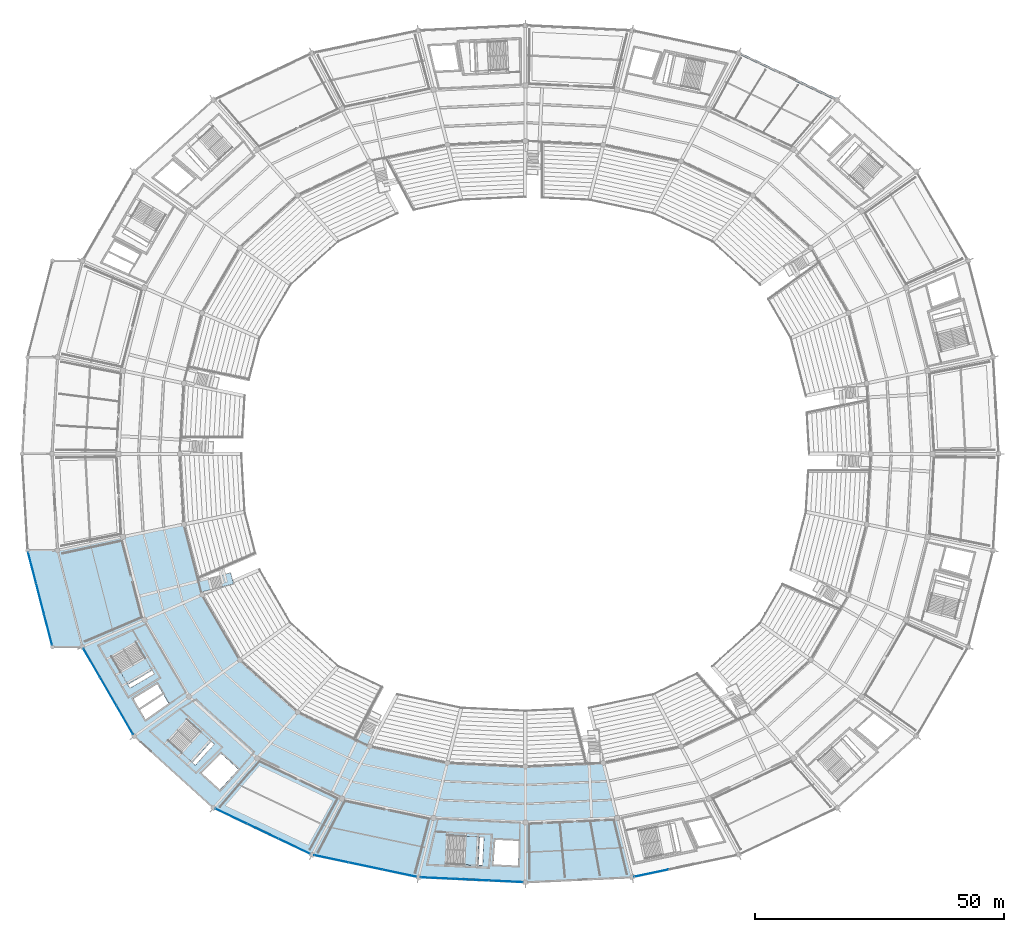
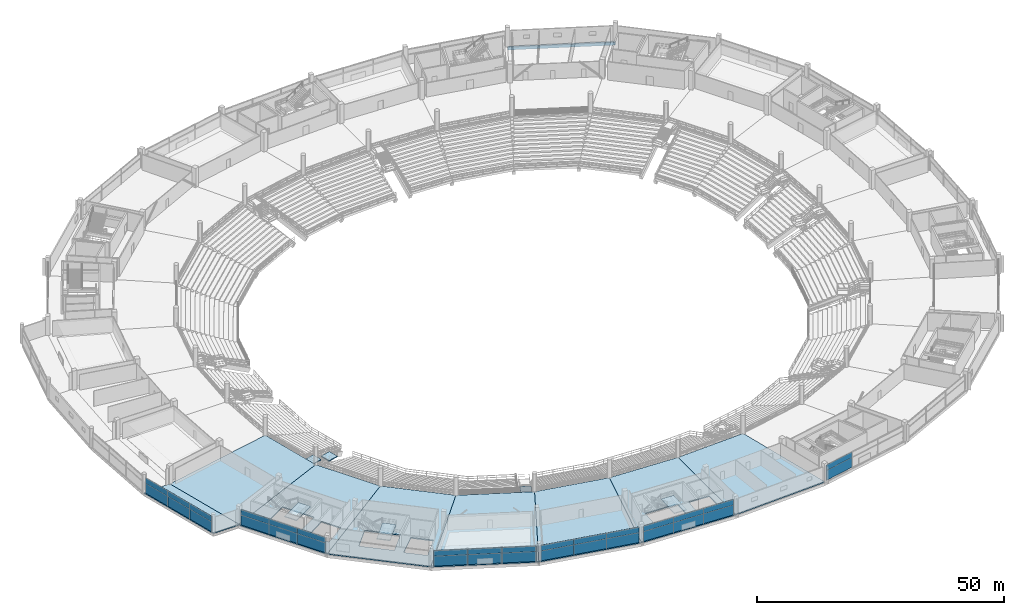
# One storey, part 96 of 156: 32 plates, 14 slabs, 1 beam, 10 elements without a shape of their own.
"""IFC4 building model written with IfcOpenShell, lengths in metres."""

from ifc_helpers import new_model, si_unit, direction, frame, origin, origin_2d, place, context, subcontext, project, spatial, polyline, rectangle, outline, extrude, material, layer, layer_set, material_profile, profile_set, type_object, element, aggregate, save


model = new_model("IFC4")

# Units and contexts
model_context = context("Model", 3, precision=1e-05, world=origin(), true_north=direction((0.0, 1.0)))
body_context = subcontext(model_context, "Body", "Model", "MODEL_VIEW")
ifc_project = project(units=[si_unit("LENGTHUNIT", "METRE"), si_unit("AREAUNIT", "SQUARE_METRE"), si_unit("VOLUMEUNIT", "CUBIC_METRE"), si_unit("PLANEANGLEUNIT", "RADIAN"), si_unit("MASSUNIT", "GRAM", prefix="KILO")], contexts=[model_context])

# Site, building, storey
site_placement = place(None, origin())
site = spatial("IfcSite", under=ifc_project, at=site_placement, CompositionType="ELEMENT")
building_placement = place(site_placement, origin())
building = spatial("IfcBuilding", under=site, at=building_placement, Name="Kazemori Nagisa Stadium", CompositionType="ELEMENT")
storey_placement = place(building_placement, frame((0.0, 0.0, 5.780029296875)))
storey = spatial("IfcBuildingStorey", under=building, at=storey_placement, Name="L01", CompositionType="ELEMENT", Elevation=5.780029296875)

# Beam
ifc_material_1 = material(Name="Concrete C40/50 (Fc42)", Category="concrete")
ifc_material_profile = material_profile(ifc_material_1, rectangle(XDim=0.35009765625, YDim=0.699951171875, at=origin_2d()), Name="RC-SP-350x700")
ifc_profile_set = profile_set([ifc_material_profile], Name="Concrete C40/50 (Fc42)")
beam_type = type_object("IfcBeamType", Name="Beam_BS-RC350X700", PredefinedType="SPANDREL", material=ifc_profile_set)
beam_placement = place(storey_placement, frame((185.597900390625, 173.05908203125, -0.630126953125), z_axis=(-0.903215644095, 0.429187022475, 0.0), x_axis=(-0.429187022475, -0.903215644095, 0.0)))
element("IfcBeam", 1, at=beam_placement, inside=storey, type_object=beam_type, Name="Ring girder BS-RC350X700 L01 R3-05", PredefinedType="SPANDREL", context=body_context, shape_type="SweptSolid", body=[
    extrude(rectangle(XDim=0.35009765625, YDim=0.699951171875, at=origin_2d()), origin(), (0.0, 0.0, 1.0), 21.9140625),
])

# Curtain wall, plates
ifc_material_2 = material(Name="Anodised aluminium 6063-T5", Category="aluminium")
ifc_layer_1 = layer(ifc_material_2, 0.179931640625, Name="Anodised aluminium 6063-T5", Category="aluminium")
ifc_layer_set_1 = layer_set([ifc_layer_1], Name="Anodised aluminium 6063-T5")
curtain_wall_type_1 = type_object("IfcCurtainWallType", Name="CW_L01R3_103", PredefinedType="USERDEFINED", material=ifc_layer_set_1)
curtain_wall_1_placement = place(storey_placement, origin())
curtain_wall_1 = element("IfcCurtainWall", 2, at=curtain_wall_1_placement, inside=storey, type_object=curtain_wall_type_1, Name="Unitised curtain wall CW-L01R3-103 L01", ObjectType="UNITISED CURTAIN WALL", PredefinedType="USERDEFINED")
ifc_material_3 = material(Name="Anodised aluminium spandrel sheet", Category="aluminium")
ifc_layer_2 = layer(ifc_material_3, 0.0458984375, Name="Anodised aluminium spandrel sheet", Category="aluminium")
ifc_layer_set_2 = layer_set([ifc_layer_2], Name="Anodised aluminium spandrel sheet")
plate_type_1 = type_object("IfcPlateType", Name="CWPanel_SPN_L01R3_103", PredefinedType="CURTAIN_PANEL", material=ifc_layer_set_2)
plate_1_placement = place(storey_placement, frame((105.4599609375, 16.829345703125, 2.4638671875), z_axis=(0.0, 0.0, 1.0), x_axis=(0.998884022476, -0.047230388971, 0.0)))
plate_1 = element("IfcPlate", 3, at=plate_1_placement, type_object=plate_type_1, Name="Curtain wall spandrel panel CW-L01R3-103-S1", PredefinedType="CURTAIN_PANEL", context=body_context, shape_type="SweptSolid", body=[
    extrude(rectangle(XDim=6.81005859375, YDim=0.0458984375, at=origin_2d()), origin(), (0.0, 0.0, 1.0), 1.385986328125),
])
plate_2_placement = place(storey_placement, frame((112.2861328125, 16.506591796875, 2.4638671875), z_axis=(0.0, 0.0, 1.0), x_axis=(0.998884022476, -0.047230388971, 0.0)))
plate_2 = element("IfcPlate", 4, at=plate_2_placement, type_object=plate_type_1, Name="Curtain wall spandrel panel CW-L01R3-103-S2", PredefinedType="CURTAIN_PANEL", context=body_context, shape_type="SweptSolid", body=[
    extrude(rectangle(XDim=6.81005859375, YDim=0.0458984375, at=origin_2d()), origin(), (0.0, 0.0, 1.0), 1.385986328125),
])
plate_3_placement = place(storey_placement, frame((119.1123046875, 16.183837890625, 2.4638671875), z_axis=(0.0, 0.0, 1.0), x_axis=(0.998884022476, -0.047230388971, 0.0)))
plate_3 = element("IfcPlate", 5, at=plate_3_placement, type_object=plate_type_1, Name="Curtain wall spandrel panel CW-L01R3-103-S3", PredefinedType="CURTAIN_PANEL", context=body_context, shape_type="SweptSolid", body=[
    extrude(rectangle(XDim=6.81005859375, YDim=0.0458984375, at=origin_2d()), origin(), (0.0, 0.0, 1.0), 1.385986328125),
])

ifc_layer_3 = layer(ifc_material_2, 0.179931640625, Name="Anodised aluminium 6063-T5", Category="aluminium")
ifc_layer_set_3 = layer_set([ifc_layer_3], Name="Anodised aluminium 6063-T5")
curtain_wall_type_2 = type_object("IfcCurtainWallType", Name="CW_L01R3_105", PredefinedType="USERDEFINED", material=ifc_layer_set_3)
curtain_wall_2_placement = place(storey_placement, origin())
curtain_wall_2 = element("IfcCurtainWall", 6, at=curtain_wall_2_placement, inside=storey, type_object=curtain_wall_type_2, Name="Unitised curtain wall CW-L01R3-105 L01", ObjectType="UNITISED CURTAIN WALL", PredefinedType="USERDEFINED")
ifc_layer_4 = layer(ifc_material_3, 0.0458984375, Name="Anodised aluminium spandrel sheet", Category="aluminium")
ifc_layer_set_4 = layer_set([ifc_layer_4], Name="Anodised aluminium spandrel sheet")
plate_type_2 = type_object("IfcPlateType", Name="CWPanel_SPN_L01R3_105", PredefinedType="CURTAIN_PANEL", material=ifc_layer_set_4)
plate_4_placement = place(storey_placement, frame((63.98681640625, 29.237548828125, 2.4638671875), z_axis=(0.0, 0.0, 1.0), x_axis=(0.903215892654, -0.429186499388, 0.0)))
plate_4 = element("IfcPlate", 7, at=plate_4_placement, type_object=plate_type_2, Name="Curtain wall spandrel panel CW-L01R3-105-S1", PredefinedType="CURTAIN_PANEL", context=body_context, shape_type="SweptSolid", body=[
    extrude(rectangle(XDim=6.964111328125, YDim=0.0458984375, at=origin_2d()), origin(), (0.0, 0.0, 1.0), 1.385986328125),
])
plate_5_placement = place(storey_placement, frame((70.298583984375, 26.23828125, 2.4638671875), z_axis=(0.0, 0.0, 1.0), x_axis=(0.903215892654, -0.429186499388, 0.0)))
plate_5 = element("IfcPlate", 8, at=plate_5_placement, type_object=plate_type_2, Name="Curtain wall spandrel panel CW-L01R3-105-S2", PredefinedType="CURTAIN_PANEL", context=body_context, shape_type="SweptSolid", body=[
    extrude(rectangle(XDim=6.964111328125, YDim=0.0458984375, at=origin_2d()), origin(), (0.0, 0.0, 1.0), 1.385986328125),
])
plate_6_placement = place(storey_placement, frame((76.6103515625, 23.2392578125, 2.4638671875), z_axis=(0.0, 0.0, 1.0), x_axis=(0.903215892654, -0.429186499388, 0.0)))
plate_6 = element("IfcPlate", 9, at=plate_6_placement, type_object=plate_type_2, Name="Curtain wall spandrel panel CW-L01R3-105-S3", PredefinedType="CURTAIN_PANEL", context=body_context, shape_type="SweptSolid", body=[
    extrude(rectangle(XDim=6.964111328125, YDim=0.0458984375, at=origin_2d()), origin(), (0.0, 0.0, 1.0), 1.385986328125),
])

curtain_wall_3_placement = place(storey_placement, origin())
curtain_wall_3 = element("IfcCurtainWall", 10, at=curtain_wall_3_placement, inside=storey, type_object=curtain_wall_type_2, Name="Unitised curtain wall CW-L01R3-105 L01", ObjectType="UNITISED CURTAIN WALL", PredefinedType="USERDEFINED")
plate_7_placement = place(storey_placement, frame((84.06787109375, 20.716552734375, 2.4638671875), z_axis=(0.0, 0.0, 1.0), x_axis=(0.978344955407, -0.206981033502, 0.0)))
plate_7 = element("IfcPlate", 11, at=plate_7_placement, type_object=plate_type_2, Name="Curtain wall spandrel panel CW-L01R3-105-S1", PredefinedType="CURTAIN_PANEL", context=body_context, shape_type="SweptSolid", body=[
    extrude(rectangle(XDim=6.942626953125, YDim=0.0458984375, at=origin_2d()), origin(), (0.0, 0.0, 1.0), 1.385986328125),
])
plate_8_placement = place(storey_placement, frame((90.8837890625, 19.2744140625, 2.4638671875), z_axis=(0.0, 0.0, 1.0), x_axis=(0.978344955407, -0.206981033502, 0.0)))
plate_8 = element("IfcPlate", 12, at=plate_8_placement, type_object=plate_type_2, Name="Curtain wall spandrel panel CW-L01R3-105-S2", PredefinedType="CURTAIN_PANEL", context=body_context, shape_type="SweptSolid", body=[
    extrude(rectangle(XDim=6.942626953125, YDim=0.0458984375, at=origin_2d()), origin(), (0.0, 0.0, 1.0), 1.385986328125),
])
plate_9_placement = place(storey_placement, frame((97.69970703125, 17.83251953125, 2.4638671875), z_axis=(0.0, 0.0, 1.0), x_axis=(0.978344955407, -0.206981033502, 0.0)))
plate_9 = element("IfcPlate", 13, at=plate_9_placement, type_object=plate_type_2, Name="Curtain wall spandrel panel CW-L01R3-105-S3", PredefinedType="CURTAIN_PANEL", context=body_context, shape_type="SweptSolid", body=[
    extrude(rectangle(XDim=6.942626953125, YDim=0.0458984375, at=origin_2d()), origin(), (0.0, 0.0, 1.0), 1.385986328125),
])

# Curtain wall, plate
curtain_wall_4_placement = place(storey_placement, origin())
curtain_wall_4 = element("IfcCurtainWall", 14, at=curtain_wall_4_placement, inside=storey, type_object=curtain_wall_type_2, Name="Unitised curtain wall CW-L01R3-105 L01", ObjectType="UNITISED CURTAIN WALL", PredefinedType="USERDEFINED")
plate_10_placement = place(storey_placement, frame((148.30029296875, 17.83251953125, 2.4638671875), z_axis=(0.0, 0.0, 1.0), x_axis=(0.978344955407, 0.206981033502, 0.0)))
plate_10 = element("IfcPlate", 15, at=plate_10_placement, type_object=plate_type_2, Name="Curtain wall spandrel panel CW-L01R3-105-S1", PredefinedType="CURTAIN_PANEL", context=body_context, shape_type="SweptSolid", body=[
    extrude(rectangle(XDim=6.942626953125, YDim=0.0458984375, at=origin_2d()), origin(), (0.0, 0.0, 1.0), 1.385986328125),
])

# Curtain wall, plates
ifc_layer_5 = layer(ifc_material_2, 0.179931640625, Name="Anodised aluminium 6063-T5", Category="aluminium")
ifc_layer_set_5 = layer_set([ifc_layer_5], Name="Anodised aluminium 6063-T5")
curtain_wall_type_3 = type_object("IfcCurtainWallType", Name="CW_L01R3_96", PredefinedType="USERDEFINED", material=ifc_layer_set_5)
curtain_wall_5_placement = place(storey_placement, origin())
curtain_wall_5 = element("IfcCurtainWall", 16, at=curtain_wall_5_placement, inside=storey, type_object=curtain_wall_type_3, Name="Unitised curtain wall CW-L01R3-96 L01", ObjectType="UNITISED CURTAIN WALL", PredefinedType="USERDEFINED")
ifc_layer_6 = layer(ifc_material_3, 0.0458984375, Name="Anodised aluminium spandrel sheet", Category="aluminium")
ifc_layer_set_6 = layer_set([ifc_layer_6], Name="Anodised aluminium spandrel sheet")
plate_type_3 = type_object("IfcPlateType", Name="CWPanel_SPN_L01R3_96", PredefinedType="CURTAIN_PANEL", material=ifc_layer_set_6)
plate_11_placement = place(storey_placement, frame((24.02587890625, 79.08984375, 2.4638671875), z_axis=(0.0, 0.0, 1.0), x_axis=(0.249964642418, -0.968254965152, 0.0)))
plate_11 = element("IfcPlate", 17, at=plate_11_placement, type_object=plate_type_3, Name="Curtain wall spandrel panel CW-L01R3-96-S1", PredefinedType="CURTAIN_PANEL", context=body_context, shape_type="SweptSolid", body=[
    extrude(rectangle(XDim=6.34130859375, YDim=0.0458984375, at=origin_2d()), origin(), (0.0, 0.0, 1.0), 1.385986328125),
])
plate_12_placement = place(storey_placement, frame((25.6171875, 72.92626953125, 2.4638671875), z_axis=(0.0, 0.0, 1.0), x_axis=(0.249964642418, -0.968254965152, 0.0)))
plate_12 = element("IfcPlate", 18, at=plate_12_placement, type_object=plate_type_3, Name="Curtain wall spandrel panel CW-L01R3-96-S2", PredefinedType="CURTAIN_PANEL", context=body_context, shape_type="SweptSolid", body=[
    extrude(rectangle(XDim=6.34130859375, YDim=0.0458984375, at=origin_2d()), origin(), (0.0, 0.0, 1.0), 1.385986328125),
])
plate_13_placement = place(storey_placement, frame((27.208251953125, 66.762939453125, 2.4638671875), z_axis=(0.0, 0.0, 1.0), x_axis=(0.249964642418, -0.968254965152, 0.0)))
plate_13 = element("IfcPlate", 19, at=plate_13_placement, type_object=plate_type_3, Name="Curtain wall spandrel panel CW-L01R3-96-S3", PredefinedType="CURTAIN_PANEL", context=body_context, shape_type="SweptSolid", body=[
    extrude(rectangle(XDim=6.34130859375, YDim=0.0458984375, at=origin_2d()), origin(), (0.0, 0.0, 1.0), 1.385986328125),
])

ifc_layer_7 = layer(ifc_material_2, 0.179931640625, Name="Anodised aluminium 6063-T5", Category="aluminium")
ifc_layer_set_7 = layer_set([ifc_layer_7], Name="Anodised aluminium 6063-T5")
curtain_wall_type_4 = type_object("IfcCurtainWallType", Name="CW_L01R3_99", PredefinedType="USERDEFINED", material=ifc_layer_set_7)
curtain_wall_6_placement = place(storey_placement, origin())
curtain_wall_6 = element("IfcCurtainWall", 20, at=curtain_wall_6_placement, inside=storey, type_object=curtain_wall_type_4, Name="Unitised curtain wall CW-L01R3-99 L01", ObjectType="UNITISED CURTAIN WALL", PredefinedType="USERDEFINED")
ifc_layer_8 = layer(ifc_material_3, 0.0458984375, Name="Anodised aluminium spandrel sheet", Category="aluminium")
ifc_layer_set_8 = layer_set([ifc_layer_8], Name="Anodised aluminium spandrel sheet")
plate_type_4 = type_object("IfcPlateType", Name="CWPanel_SPN_L01R3_99", PredefinedType="CURTAIN_PANEL", material=ifc_layer_set_8)
plate_14_placement = place(storey_placement, frame((36.005615234375, 59.990234375, 2.4638671875), z_axis=(0.0, 0.0, 1.0), x_axis=(0.501611590054, -0.865092950337, 0.0)))
plate_14 = element("IfcPlate", 21, at=plate_14_placement, type_object=plate_type_4, Name="Curtain wall spandrel panel CW-L01R3-99-S1", PredefinedType="CURTAIN_PANEL", context=body_context, shape_type="SweptSolid", body=[
    extrude(rectangle(XDim=6.563232421875, YDim=0.0458984375, at=origin_2d()), origin(), (0.0, 0.0, 1.0), 1.385986328125),
])
plate_15_placement = place(storey_placement, frame((39.309814453125, 54.29150390625, 2.4638671875), z_axis=(0.0, 0.0, 1.0), x_axis=(0.501611590054, -0.865092950337, 0.0)))
plate_15 = element("IfcPlate", 22, at=plate_15_placement, type_object=plate_type_4, Name="Curtain wall spandrel panel CW-L01R3-99-S2", PredefinedType="CURTAIN_PANEL", context=body_context, shape_type="SweptSolid", body=[
    extrude(rectangle(XDim=6.563232421875, YDim=0.0458984375, at=origin_2d()), origin(), (0.0, 0.0, 1.0), 1.385986328125),
])
plate_16_placement = place(storey_placement, frame((42.6142578125, 48.5927734375, 2.4638671875), z_axis=(0.0, 0.0, 1.0), x_axis=(0.501611590054, -0.865092950337, 0.0)))
plate_16 = element("IfcPlate", 23, at=plate_16_placement, type_object=plate_type_4, Name="Curtain wall spandrel panel CW-L01R3-99-S3", PredefinedType="CURTAIN_PANEL", context=body_context, shape_type="SweptSolid", body=[
    extrude(rectangle(XDim=6.563232421875, YDim=0.0458984375, at=origin_2d()), origin(), (0.0, 0.0, 1.0), 1.385986328125),
])

# Plate
ifc_material_4 = material(Name="Low-e laminated double glazing", Category="glass")
ifc_layer_9 = layer(ifc_material_4, 0.028076171875, Name="Low-e laminated double glazing", Category="glass")
ifc_layer_set_9 = layer_set([ifc_layer_9], Name="Low-e laminated double glazing")
plate_type_5 = type_object("IfcPlateType", Name="CWPanel_VIS_L01R3_103", PredefinedType="CURTAIN_PANEL", material=ifc_layer_set_9)
plate_17_placement = place(storey_placement, frame((105.4599609375, 16.829345703125, 0.0), z_axis=(0.0, 0.0, 1.0), x_axis=(0.998884022476, -0.047230388971, 0.0)))
plate_17 = element("IfcPlate", 24, at=plate_17_placement, type_object=plate_type_5, Name="Curtain wall vision panel CW-L01R3-103-V1", PredefinedType="CURTAIN_PANEL", context=body_context, shape_type="SweptSolid", body=[
    extrude(rectangle(XDim=6.81005859375, YDim=0.028076171875, at=origin_2d()), origin(), (0.0, 0.0, 1.0), 2.464111328125),
])

plate_18_placement = place(storey_placement, frame((112.2861328125, 16.506591796875, 0.0), z_axis=(0.0, 0.0, 1.0), x_axis=(0.998884022476, -0.047230388971, 0.0)))
plate_18 = element("IfcPlate", 25, at=plate_18_placement, type_object=plate_type_5, Name="Curtain wall vision panel CW-L01R3-103-V2", PredefinedType="CURTAIN_PANEL", context=body_context, shape_type="SweptSolid", body=[
    extrude(rectangle(XDim=6.81005859375, YDim=0.028076171875, at=origin_2d()), origin(), (0.0, 0.0, 1.0), 2.464111328125),
])

plate_19_placement = place(storey_placement, frame((119.1123046875, 16.183837890625, 0.0), z_axis=(0.0, 0.0, 1.0), x_axis=(0.998884022476, -0.047230388971, 0.0)))
plate_19 = element("IfcPlate", 26, at=plate_19_placement, type_object=plate_type_5, Name="Curtain wall vision panel CW-L01R3-103-V3", PredefinedType="CURTAIN_PANEL", context=body_context, shape_type="SweptSolid", body=[
    extrude(rectangle(XDim=6.81005859375, YDim=0.028076171875, at=origin_2d()), origin(), (0.0, 0.0, 1.0), 2.464111328125),
])

aggregate(curtain_wall_1, [plate_17, plate_1, plate_18, plate_2, plate_19, plate_3])

ifc_layer_10 = layer(ifc_material_4, 0.028076171875, Name="Low-e laminated double glazing", Category="glass")
ifc_layer_set_10 = layer_set([ifc_layer_10], Name="Low-e laminated double glazing")
plate_type_6 = type_object("IfcPlateType", Name="CWPanel_VIS_L01R3_105", PredefinedType="CURTAIN_PANEL", material=ifc_layer_set_10)
plate_20_placement = place(storey_placement, frame((63.98681640625, 29.237548828125, 0.0), z_axis=(0.0, 0.0, 1.0), x_axis=(0.903215892654, -0.429186499388, 0.0)))
plate_20 = element("IfcPlate", 27, at=plate_20_placement, type_object=plate_type_6, Name="Curtain wall vision panel CW-L01R3-105-V1", PredefinedType="CURTAIN_PANEL", context=body_context, shape_type="SweptSolid", body=[
    extrude(rectangle(XDim=6.964111328125, YDim=0.028076171875, at=origin_2d()), origin(), (0.0, 0.0, 1.0), 2.464111328125),
])

plate_21_placement = place(storey_placement, frame((70.298583984375, 26.23828125, 0.0), z_axis=(0.0, 0.0, 1.0), x_axis=(0.903215892654, -0.429186499388, 0.0)))
plate_21 = element("IfcPlate", 28, at=plate_21_placement, type_object=plate_type_6, Name="Curtain wall vision panel CW-L01R3-105-V2", PredefinedType="CURTAIN_PANEL", context=body_context, shape_type="SweptSolid", body=[
    extrude(rectangle(XDim=6.964111328125, YDim=0.028076171875, at=origin_2d()), origin(), (0.0, 0.0, 1.0), 2.464111328125),
])

plate_22_placement = place(storey_placement, frame((76.6103515625, 23.2392578125, 0.0), z_axis=(0.0, 0.0, 1.0), x_axis=(0.903215892654, -0.429186499388, 0.0)))
plate_22 = element("IfcPlate", 29, at=plate_22_placement, type_object=plate_type_6, Name="Curtain wall vision panel CW-L01R3-105-V3", PredefinedType="CURTAIN_PANEL", context=body_context, shape_type="SweptSolid", body=[
    extrude(rectangle(XDim=6.964111328125, YDim=0.028076171875, at=origin_2d()), origin(), (0.0, 0.0, 1.0), 2.464111328125),
])

aggregate(curtain_wall_2, [plate_20, plate_4, plate_21, plate_5, plate_22, plate_6])

plate_23_placement = place(storey_placement, frame((84.06787109375, 20.716552734375, 0.0), z_axis=(0.0, 0.0, 1.0), x_axis=(0.978344955407, -0.206981033502, 0.0)))
plate_23 = element("IfcPlate", 30, at=plate_23_placement, type_object=plate_type_6, Name="Curtain wall vision panel CW-L01R3-105-V1", PredefinedType="CURTAIN_PANEL", context=body_context, shape_type="SweptSolid", body=[
    extrude(rectangle(XDim=6.942626953125, YDim=0.028076171875, at=origin_2d()), origin(), (0.0, 0.0, 1.0), 2.464111328125),
])

plate_24_placement = place(storey_placement, frame((90.8837890625, 19.2744140625, 0.0), z_axis=(0.0, 0.0, 1.0), x_axis=(0.978344955407, -0.206981033502, 0.0)))
plate_24 = element("IfcPlate", 31, at=plate_24_placement, type_object=plate_type_6, Name="Curtain wall vision panel CW-L01R3-105-V2", PredefinedType="CURTAIN_PANEL", context=body_context, shape_type="SweptSolid", body=[
    extrude(rectangle(XDim=6.942626953125, YDim=0.028076171875, at=origin_2d()), origin(), (0.0, 0.0, 1.0), 2.464111328125),
])

plate_25_placement = place(storey_placement, frame((97.69970703125, 17.83251953125, 0.0), z_axis=(0.0, 0.0, 1.0), x_axis=(0.978344955407, -0.206981033502, 0.0)))
plate_25 = element("IfcPlate", 32, at=plate_25_placement, type_object=plate_type_6, Name="Curtain wall vision panel CW-L01R3-105-V3", PredefinedType="CURTAIN_PANEL", context=body_context, shape_type="SweptSolid", body=[
    extrude(rectangle(XDim=6.942626953125, YDim=0.028076171875, at=origin_2d()), origin(), (0.0, 0.0, 1.0), 2.464111328125),
])

aggregate(curtain_wall_3, [plate_23, plate_7, plate_24, plate_8, plate_25, plate_9])

plate_26_placement = place(storey_placement, frame((148.30029296875, 17.83251953125, 0.0), z_axis=(0.0, 0.0, 1.0), x_axis=(0.978344955407, 0.206981033502, 0.0)))
plate_26 = element("IfcPlate", 33, at=plate_26_placement, type_object=plate_type_6, Name="Curtain wall vision panel CW-L01R3-105-V1", PredefinedType="CURTAIN_PANEL", context=body_context, shape_type="SweptSolid", body=[
    extrude(rectangle(XDim=6.942626953125, YDim=0.028076171875, at=origin_2d()), origin(), (0.0, 0.0, 1.0), 2.464111328125),
])

aggregate(curtain_wall_4, [plate_26, plate_10])

ifc_layer_11 = layer(ifc_material_4, 0.028076171875, Name="Low-e laminated double glazing", Category="glass")
ifc_layer_set_11 = layer_set([ifc_layer_11], Name="Low-e laminated double glazing")
plate_type_7 = type_object("IfcPlateType", Name="CWPanel_VIS_L01R3_96", PredefinedType="CURTAIN_PANEL", material=ifc_layer_set_11)
plate_27_placement = place(storey_placement, frame((24.02587890625, 79.08984375, 0.0), z_axis=(0.0, 0.0, 1.0), x_axis=(0.249964642418, -0.968254965152, 0.0)))
plate_27 = element("IfcPlate", 34, at=plate_27_placement, type_object=plate_type_7, Name="Curtain wall vision panel CW-L01R3-96-V1", PredefinedType="CURTAIN_PANEL", context=body_context, shape_type="SweptSolid", body=[
    extrude(rectangle(XDim=6.34130859375, YDim=0.028076171875, at=origin_2d()), origin(), (0.0, 0.0, 1.0), 2.464111328125),
])

plate_28_placement = place(storey_placement, frame((25.6171875, 72.92626953125, 0.0), z_axis=(0.0, 0.0, 1.0), x_axis=(0.249964642418, -0.968254965152, 0.0)))
plate_28 = element("IfcPlate", 35, at=plate_28_placement, type_object=plate_type_7, Name="Curtain wall vision panel CW-L01R3-96-V2", PredefinedType="CURTAIN_PANEL", context=body_context, shape_type="SweptSolid", body=[
    extrude(rectangle(XDim=6.34130859375, YDim=0.028076171875, at=origin_2d()), origin(), (0.0, 0.0, 1.0), 2.464111328125),
])

plate_29_placement = place(storey_placement, frame((27.208251953125, 66.762939453125, 0.0), z_axis=(0.0, 0.0, 1.0), x_axis=(0.249964642418, -0.968254965152, 0.0)))
plate_29 = element("IfcPlate", 36, at=plate_29_placement, type_object=plate_type_7, Name="Curtain wall vision panel CW-L01R3-96-V3", PredefinedType="CURTAIN_PANEL", context=body_context, shape_type="SweptSolid", body=[
    extrude(rectangle(XDim=6.34130859375, YDim=0.028076171875, at=origin_2d()), origin(), (0.0, 0.0, 1.0), 2.464111328125),
])

aggregate(curtain_wall_5, [plate_27, plate_11, plate_28, plate_12, plate_29, plate_13])

ifc_layer_12 = layer(ifc_material_4, 0.028076171875, Name="Low-e laminated double glazing", Category="glass")
ifc_layer_set_12 = layer_set([ifc_layer_12], Name="Low-e laminated double glazing")
plate_type_8 = type_object("IfcPlateType", Name="CWPanel_VIS_L01R3_99", PredefinedType="CURTAIN_PANEL", material=ifc_layer_set_12)
plate_30_placement = place(storey_placement, frame((36.005615234375, 59.990234375, 0.0), z_axis=(0.0, 0.0, 1.0), x_axis=(0.501611590054, -0.865092950337, 0.0)))
plate_30 = element("IfcPlate", 37, at=plate_30_placement, type_object=plate_type_8, Name="Curtain wall vision panel CW-L01R3-99-V1", PredefinedType="CURTAIN_PANEL", context=body_context, shape_type="SweptSolid", body=[
    extrude(rectangle(XDim=6.563232421875, YDim=0.028076171875, at=origin_2d()), origin(), (0.0, 0.0, 1.0), 2.464111328125),
])

plate_31_placement = place(storey_placement, frame((39.309814453125, 54.29150390625, 0.0), z_axis=(0.0, 0.0, 1.0), x_axis=(0.501611590054, -0.865092950337, 0.0)))
plate_31 = element("IfcPlate", 38, at=plate_31_placement, type_object=plate_type_8, Name="Curtain wall vision panel CW-L01R3-99-V2", PredefinedType="CURTAIN_PANEL", context=body_context, shape_type="SweptSolid", body=[
    extrude(rectangle(XDim=6.563232421875, YDim=0.028076171875, at=origin_2d()), origin(), (0.0, 0.0, 1.0), 2.464111328125),
])

plate_32_placement = place(storey_placement, frame((42.6142578125, 48.5927734375, 0.0), z_axis=(0.0, 0.0, 1.0), x_axis=(0.501611590054, -0.865092950337, 0.0)))
plate_32 = element("IfcPlate", 39, at=plate_32_placement, type_object=plate_type_8, Name="Curtain wall vision panel CW-L01R3-99-V3", PredefinedType="CURTAIN_PANEL", context=body_context, shape_type="SweptSolid", body=[
    extrude(rectangle(XDim=6.563232421875, YDim=0.028076171875, at=origin_2d()), origin(), (0.0, 0.0, 1.0), 2.464111328125),
])

aggregate(curtain_wall_6, [plate_30, plate_14, plate_31, plate_15, plate_32, plate_16])

# Slabs
ifc_material_5 = material(Name="Concrete C36/45 (Fc36)", Category="concrete")
ifc_layer_13 = layer(ifc_material_5, 0.280029296875, Name="Concrete C36/45 (Fc36)", Category="concrete")
ifc_layer_set_13 = layer_set([ifc_layer_13], Name="Concrete C36/45 (Fc36)")
slab_type_1 = type_object("IfcSlabType", Name="Slab_SL-CONC-280", PredefinedType="FLOOR", material=ifc_layer_set_13)
slab_1_placement = place(storey_placement, frame((0.0, 0.0, -0.280029296875)))
element("IfcSlab", 40, at=slab_1_placement, inside=storey, type_object=slab_type_1, Name="Concourse floor slab L01 bay 16", PredefinedType="FLOOR", context=body_context, shape_type="SweptSolid", body=[
    extrude(outline(polyline([(54.467041015625, 87.839599609375), (58.114013671875, 73.712890625), (34.114990234375, 63.25048828125), (29.119140625, 82.602294921875), (54.467041015625, 87.839599609375)])), origin(), (0.0, 0.0, 1.0), 0.280029296875),
])
slab_2_placement = place(storey_placement, frame((0.0, 0.0, -0.280029296875)))
element("IfcSlab", 41, at=slab_2_placement, inside=storey, type_object=slab_type_1, Name="Concourse floor slab L01 bay 17", PredefinedType="FLOOR", context=body_context, shape_type="SweptSolid", body=[
    extrude(outline(polyline([(58.114013671875, 73.712890625), (65.698486328125, 60.632568359375), (44.504638671875, 45.332275390625), (34.114990234375, 63.25048828125), (58.114013671875, 73.712890625)]), holes=[polyline([(44.858642578125, 64.196044921875), (48.560546875, 57.8115234375), (43.62939453125, 54.952392578125), (39.927490234375, 61.336669921875), (44.858642578125, 64.196044921875)]), polyline([(49.128662109375, 55.793701171875), (51.3828125, 51.90625), (46.787841796875, 48.6923828125), (44.38916015625, 52.829345703125), (49.128662109375, 55.793701171875)])]), origin(), (0.0, 0.0, 1.0), 0.280029296875),
])
slab_3_placement = place(storey_placement, frame((0.0, 0.0, -0.280029296875)))
element("IfcSlab", 42, at=slab_3_placement, inside=storey, type_object=slab_type_1, Name="Concourse floor slab L01 bay 18", PredefinedType="FLOOR", context=body_context, shape_type="SweptSolid", body=[
    extrude(outline(polyline([(65.698486328125, 60.632568359375), (77.303466796875, 50.126953125), (60.402099609375, 30.94091796875), (44.504638671875, 45.332275390625), (65.698486328125, 60.632568359375)]), holes=[polyline([(55.12353515625, 48.665771484375), (60.5947265625, 43.712890625), (56.769287109375, 39.4873046875), (51.29833984375, 44.43994140625), (55.12353515625, 48.665771484375)]), polyline([(61.956298828125, 41.795654296875), (65.405517578125, 38.67333984375), (61.710205078125, 34.6103515625), (58.039794921875, 37.93310546875), (61.956298828125, 41.795654296875)])]), origin(), (0.0, 0.0, 1.0), 0.280029296875),
])
slab_4_placement = place(storey_placement, frame((0.0, 0.0, -0.280029296875)))
element("IfcSlab", 43, at=slab_4_placement, inside=storey, type_object=slab_type_1, Name="Concourse floor slab L01 bay 19", PredefinedType="FLOOR", context=body_context, shape_type="SweptSolid", body=[
    extrude(outline(polyline([(77.303466796875, 50.126953125), (91.75244140625, 43.260986328125), (80.1953125, 21.53564453125), (60.402099609375, 30.94091796875), (77.303466796875, 50.126953125)])), origin(), (0.0, 0.0, 1.0), 0.280029296875),
])
slab_5_placement = place(storey_placement, frame((0.0, 0.0, -0.280029296875)))
element("IfcSlab", 44, at=slab_5_placement, inside=storey, type_object=slab_type_1, Name="Concourse floor slab L01 bay 20", PredefinedType="FLOOR", context=body_context, shape_type="SweptSolid", body=[
    extrude(outline(polyline([(91.75244140625, 43.260986328125), (107.35791015625, 39.959716796875), (101.572265625, 17.01318359375), (80.1953125, 21.53564453125), (91.75244140625, 43.260986328125)])), origin(), (0.0, 0.0, 1.0), 0.280029296875),
])
slab_6_placement = place(storey_placement, frame((0.0, 0.0, -0.280029296875)))
element("IfcSlab", 45, at=slab_6_placement, inside=storey, type_object=slab_type_1, Name="Concourse floor slab L01 bay 21", PredefinedType="FLOOR", context=body_context, shape_type="SweptSolid", body=[
    extrude(outline(polyline([(107.35791015625, 39.959716796875), (123.0, 39.219970703125), (123.0, 16.0), (101.572265625, 17.01318359375), (107.35791015625, 39.959716796875)]), holes=[polyline([(107.32470703125, 25.434814453125), (114.696533203125, 25.08642578125), (114.42724609375, 19.392578125), (107.0556640625, 19.7412109375), (107.32470703125, 25.434814453125)]), polyline([(116.9951171875, 24.5400390625), (121.64404296875, 24.320068359375), (121.55712890625, 19.336181640625), (116.60986328125, 19.570068359375), (116.9951171875, 24.5400390625)])]), origin(), (0.0, 0.0, 1.0), 0.280029296875),
])
slab_7_placement = place(storey_placement, frame((0.0, 0.0, -0.280029296875)))
element("IfcSlab", 46, at=slab_7_placement, inside=storey, type_object=slab_type_1, Name="Concourse floor slab L01 bay 22", PredefinedType="FLOOR", context=body_context, shape_type="SweptSolid", body=[
    extrude(outline(polyline([(123.0, 39.219970703125), (138.64208984375, 39.959716796875), (144.427734375, 17.01318359375), (123.0, 16.0), (123.0, 39.219970703125)])), origin(), (0.0, 0.0, 1.0), 0.280029296875),
])
slab_8_placement = place(storey_placement, frame((0.0, 0.0, -0.280029296875)))
element("IfcSlab", 47, at=slab_8_placement, inside=storey, type_object=slab_type_1, Name="West grandstand floor slab L01 B16", PredefinedType="FLOOR", context=body_context, shape_type="SweptSolid", body=[
    extrude(outline(polyline([(29.119140625, 82.602294921875), (34.114990234375, 63.25048828125), (28.114990234375, 63.25048828125), (23.119140625, 82.602294921875), (29.119140625, 82.602294921875)])), origin(), (0.0, 0.0, 1.0), 0.280029296875),
])

# Stair, slab
stair_type_1 = type_object("IfcStairType", Name="Stair_CORE_28", PredefinedType="TWO_STRAIGHT_RUN_STAIR", material=ifc_material_5)
stair_1_placement = place(storey_placement, origin())
stair_1 = element("IfcStair", 48, at=stair_1_placement, inside=storey, type_object=stair_type_1, Name="Exit stair ST09 L01", PredefinedType="TWO_STRAIGHT_RUN_STAIR")
ifc_layer_14 = layer(ifc_material_5, 0.199951171875, Name="Concrete C36/45 (Fc36)", Category="concrete")
ifc_layer_set_14 = layer_set([ifc_layer_14], Name="Concrete C36/45 (Fc36)")
slab_type_2 = type_object("IfcSlabType", Name="Slab_SL-LND-200", PredefinedType="LANDING", material=ifc_layer_set_14)
slab_9_placement = place(storey_placement, frame((0.0, 0.0, 2.179931640625)))
slab_9 = element("IfcSlab", 49, at=slab_9_placement, type_object=slab_type_2, Name="Exit stair ST09 L01 mid-landing", PredefinedType="LANDING", context=body_context, shape_type="SweptSolid", body=[
    extrude(outline(polyline([(46.701904296875, 61.016845703125), (48.131591796875, 58.55126953125), (43.20068359375, 55.692138671875), (41.77099609375, 58.157470703125), (46.701904296875, 61.016845703125)])), origin(), (0.0, 0.0, 1.0), 0.199951171875),
])
aggregate(stair_1, [slab_9])

stair_2_placement = place(storey_placement, origin())
stair_2 = element("IfcStair", 50, at=stair_2_placement, inside=storey, type_object=stair_type_1, Name="Exit stair ST03 L01", PredefinedType="TWO_STRAIGHT_RUN_STAIR")
slab_10_placement = place(storey_placement, frame((0.0, 0.0, 2.179931640625)))
slab_10 = element("IfcSlab", 51, at=slab_10_placement, type_object=slab_type_2, Name="Exit stair ST03 L01 mid-landing", PredefinedType="LANDING", context=body_context, shape_type="SweptSolid", body=[
    extrude(outline(polyline([(57.84814453125, 46.199462890625), (59.9609375, 44.28662109375), (56.135498046875, 40.06103515625), (54.022705078125, 41.9736328125), (57.84814453125, 46.199462890625)])), origin(), (0.0, 0.0, 1.0), 0.199951171875),
])
aggregate(stair_2, [slab_10])

stair_3_placement = place(storey_placement, origin())
stair_3 = element("IfcStair", 52, at=stair_3_placement, inside=storey, type_object=stair_type_1, Name="Exit stair ST12 L01", PredefinedType="TWO_STRAIGHT_RUN_STAIR")
slab_11_placement = place(storey_placement, frame((0.0, 0.0, 2.179931640625)))
slab_11 = element("IfcSlab", 53, at=slab_11_placement, type_object=slab_type_2, Name="Exit stair ST12 L01 mid-landing", PredefinedType="LANDING", context=body_context, shape_type="SweptSolid", body=[
    extrude(outline(polyline([(110.99560546875, 25.26123046875), (113.842529296875, 25.126708984375), (113.5732421875, 19.43310546875), (110.7265625, 19.567626953125), (110.99560546875, 25.26123046875)])), origin(), (0.0, 0.0, 1.0), 0.199951171875),
])
aggregate(stair_3, [slab_11])

stair_type_2 = type_object("IfcStairType", Name="Stair_VOM_VL", PredefinedType="STRAIGHT_RUN_STAIR", material=ifc_material_5)
stair_4_placement = place(storey_placement, origin())
stair_4 = element("IfcStair", 54, at=stair_4_placement, inside=storey, type_object=stair_type_2, Name="Vomitory stair lower VL07", PredefinedType="STRAIGHT_RUN_STAIR")
ifc_layer_15 = layer(ifc_material_5, 0.219970703125, Name="Concrete C36/45 (Fc36)", Category="concrete")
ifc_layer_set_15 = layer_set([ifc_layer_15], Name="Concrete C36/45 (Fc36)")
slab_type_3 = type_object("IfcSlabType", Name="Slab_SL-LND-220", PredefinedType="LANDING", material=ifc_layer_set_15)
slab_12_placement = place(storey_placement, frame((0.0, 0.0, -1.659912109375)))
slab_12 = element("IfcSlab", 55, at=slab_12_placement, type_object=slab_type_3, Name="Vomitory stair lower VL07 landing", PredefinedType="LANDING", context=body_context, shape_type="SweptSolid", body=[
    extrude(outline(polyline([(62.1884765625, 75.332763671875), (61.613525390625, 77.559814453125), (63.85986328125, 78.1396484375), (64.434814453125, 75.91259765625), (62.1884765625, 75.332763671875)])), origin(), (0.0, 0.0, 1.0), 0.219970703125),
])
aggregate(stair_4, [slab_12])

# Slabs
ifc_layer_16 = layer(ifc_material_5, 0.219970703125, Name="Concrete C36/45 (Fc36)", Category="concrete")
ifc_layer_set_16 = layer_set([ifc_layer_16], Name="Concrete C36/45 (Fc36)")
slab_type_4 = type_object("IfcSlabType", Name="Slab_SL-VOM-220", PredefinedType="FLOOR", material=ifc_layer_set_16)
slab_13_placement = place(storey_placement, frame((0.0, 0.0, -0.219970703125)))
element("IfcSlab", 56, at=slab_13_placement, inside=storey, type_object=slab_type_4, Name="Vomitory portal lower bay 16", PredefinedType="FLOOR", context=body_context, shape_type="SweptSolid", body=[
    extrude(outline(polyline([(57.9765625, 74.245361328125), (57.401611328125, 76.472412109375), (59.43505859375, 76.997314453125), (60.009765625, 74.770263671875), (57.9765625, 74.245361328125)])), origin(), (0.0, 0.0, 1.0), 0.219970703125),
])
slab_14_placement = place(storey_placement, frame((0.0, 0.0, -0.219970703125)))
element("IfcSlab", 57, at=slab_14_placement, inside=storey, type_object=slab_type_4, Name="Vomitory portal lower bay 19", PredefinedType="FLOOR", context=body_context, shape_type="SweptSolid", body=[
    extrude(outline(polyline([(91.255859375, 43.4970703125), (89.178466796875, 44.484375), (90.07958984375, 46.381103515625), (92.156982421875, 45.393798828125), (91.255859375, 43.4970703125)])), origin(), (0.0, 0.0, 1.0), 0.219970703125),
])

save(model, "model.ifc")
